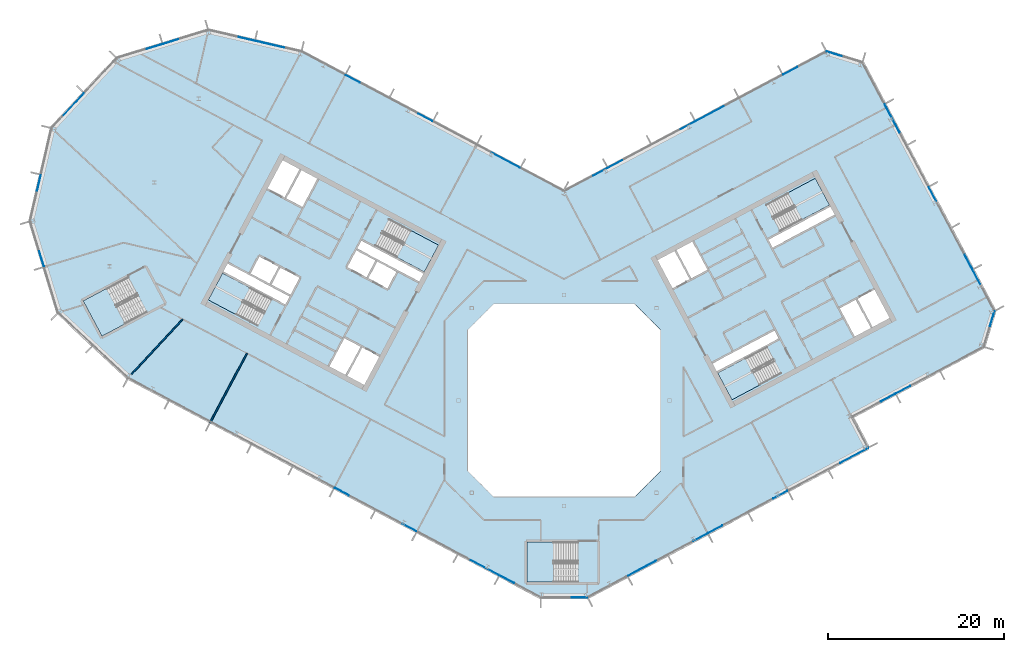
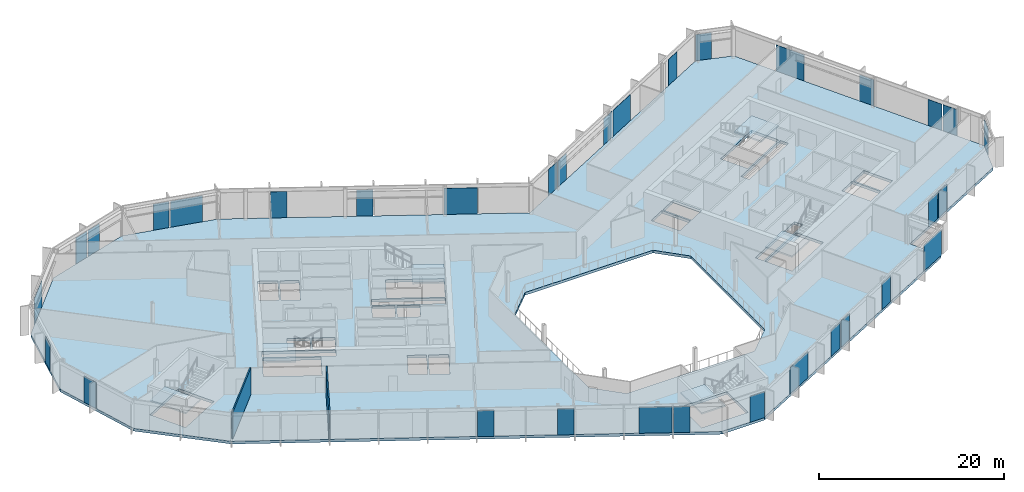
# One storey, part 11 of 26: 33 plates, 7 slabs, 2 walls, 20 elements without a shape of their own.
"""IFC4 building model written with IfcOpenShell, lengths in metres."""

from ifc_helpers import new_model, si_unit, direction, frame, frame_2d, origin, origin_2d, place, context, subcontext, project, spatial, polyline, rectangle, outline, extrude, material, layer, layer_set, type_object, element, aggregate, save


model = new_model("IFC4")

# Units and contexts
model_context = context("Model", 3, precision=1e-05, world=origin(), true_north=direction((0.0, 1.0)))
body_context = subcontext(model_context, "Body", "Model", "MODEL_VIEW")
ifc_project = project(units=[si_unit("LENGTHUNIT", "METRE"), si_unit("AREAUNIT", "SQUARE_METRE"), si_unit("VOLUMEUNIT", "CUBIC_METRE"), si_unit("PLANEANGLEUNIT", "RADIAN"), si_unit("MASSUNIT", "GRAM", prefix="KILO")], contexts=[model_context])

# Site, building, storey
site_placement = place(None, origin())
site = spatial("IfcSite", under=ifc_project, at=site_placement, CompositionType="ELEMENT")
building_placement = place(site_placement, origin())
building = spatial("IfcBuilding", under=site, at=building_placement, Name="Cormorant Relay Tower", CompositionType="ELEMENT")
storey_placement = place(building_placement, frame((0.0, 0.0, 228.60009765625)))
storey = spatial("IfcBuildingStorey", under=building, at=storey_placement, Name="L50", CompositionType="ELEMENT", Elevation=228.60009765625)

# Curtain wall, plate
ifc_material_1 = material(Name="Aluminium 6063-T6 anodised bronze", Category="aluminium")
ifc_layer_1 = layer(ifc_material_1, 0.199951171875)
ifc_layer_set_1 = layer_set([ifc_layer_1], Name="CW1 unitised bronze curtain wall with vertical fins")
curtain_wall_type = type_object("IfcCurtainWallType", Name="CW1 unitised bronze curtain wall with vertical fins", PredefinedType="NOTDEFINED", material=ifc_layer_set_1)
curtain_wall_1_placement = place(storey_placement, origin())
curtain_wall_1 = element("IfcCurtainWall", 1, at=curtain_wall_1_placement, inside=storey, type_object=curtain_wall_type, Name="CW1 curtain wall 1", PredefinedType="NOTDEFINED")
ifc_material_2 = material(Name="Tinted laminated glass", Category="glass")
ifc_layer_2 = layer(ifc_material_2, 0.0400390625)
ifc_layer_set_2 = layer_set([ifc_layer_2], Name="CW1 tinted vision panel 1800 module")
plate_type_1 = type_object("IfcPlateType", Name="CW1 tinted vision panel 1800 module", PredefinedType="CURTAIN_PANEL", material=ifc_layer_set_2)
plate_1_placement = place(storey_placement, frame((1.748779296875, -22.3955078125, 0.0), z_axis=(0.0, 0.0, 1.0), x_axis=(1.0, 0.0, 0.0)))
plate_1 = element("IfcPlate", 2, at=plate_1_placement, type_object=plate_type_1, Name="CW1 panel V01", PredefinedType="CURTAIN_PANEL", context=body_context, shape_type="SweptSolid", body=[
    extrude(rectangle(XDim=1.800048828125, YDim=0.0400390625, at=origin_2d()), origin(), (0.0, 0.0, 1.0), 3.449951171875),
])
aggregate(curtain_wall_1, [plate_1])

# Curtain wall, plates
curtain_wall_2_placement = place(storey_placement, origin())
curtain_wall_2 = element("IfcCurtainWall", 3, at=curtain_wall_2_placement, inside=storey, type_object=curtain_wall_type, Name="CW1 curtain wall 2", PredefinedType="NOTDEFINED")
plate_2_placement = place(storey_placement, frame((15.48291015625, -15.57421875, 0.0), z_axis=(0.0, 0.0, 1.0), x_axis=(0.882947592859, 0.469471562786, 0.0)))
plate_2 = element("IfcPlate", 4, at=plate_2_placement, type_object=plate_type_1, Name="CW1 panel V03", PredefinedType="CURTAIN_PANEL", context=body_context, shape_type="SweptSolid", body=[
    extrude(rectangle(XDim=1.800048828125, YDim=0.0400390625, at=origin_2d()), origin(), (0.0, 0.0, 1.0), 3.449951171875),
])
plate_3_placement = place(storey_placement, frame((17.20458984375, -14.65869140625, 0.0), z_axis=(0.0, 0.0, 1.0), x_axis=(0.882947592859, 0.469471562786, 0.0)))
plate_3 = element("IfcPlate", 5, at=plate_3_placement, type_object=plate_type_1, Name="CW1 panel V04", PredefinedType="CURTAIN_PANEL", context=body_context, shape_type="SweptSolid", body=[
    extrude(rectangle(XDim=1.800048828125, YDim=0.0400390625, at=origin_2d()), origin(), (0.0, 0.0, 1.0), 3.449951171875),
])
plate_4_placement = place(storey_placement, frame((24.6064453125, -10.72314453125, 0.0), z_axis=(0.0, 0.0, 1.0), x_axis=(0.882947592859, 0.469471562786, 0.0)))
plate_4 = element("IfcPlate", 6, at=plate_4_placement, type_object=plate_type_1, Name="CW1 panel V06", PredefinedType="CURTAIN_PANEL", context=body_context, shape_type="SweptSolid", body=[
    extrude(rectangle(XDim=1.800048828125, YDim=0.0400390625, at=origin_2d()), origin(), (0.0, 0.0, 1.0), 3.449951171875),
])

curtain_wall_3_placement = place(storey_placement, origin())
curtain_wall_3 = element("IfcCurtainWall", 7, at=curtain_wall_3_placement, inside=storey, type_object=curtain_wall_type, Name="CW1 curtain wall 4", PredefinedType="NOTDEFINED")
plate_5_placement = place(storey_placement, frame((36.85546875, 0.320068359375, 0.0), z_axis=(0.0, 0.0, 1.0), x_axis=(0.882947592859, 0.469471562786, 0.0)))
plate_5 = element("IfcPlate", 8, at=plate_5_placement, type_object=plate_type_1, Name="CW1 panel V01", PredefinedType="CURTAIN_PANEL", context=body_context, shape_type="SweptSolid", body=[
    extrude(rectangle(XDim=1.800048828125, YDim=0.0400390625, at=origin_2d()), origin(), (0.0, 0.0, 1.0), 3.449951171875),
])
plate_6_placement = place(storey_placement, frame((38.5771484375, 1.235595703125, 0.0), z_axis=(0.0, 0.0, 1.0), x_axis=(0.882947592859, 0.469471562786, 0.0)))
plate_6 = element("IfcPlate", 9, at=plate_6_placement, type_object=plate_type_1, Name="CW1 panel V02", PredefinedType="CURTAIN_PANEL", context=body_context, shape_type="SweptSolid", body=[
    extrude(rectangle(XDim=1.800048828125, YDim=0.0400390625, at=origin_2d()), origin(), (0.0, 0.0, 1.0), 3.449951171875),
])
aggregate(curtain_wall_3, [plate_5, plate_6])

# Curtain wall, plate
curtain_wall_4_placement = place(storey_placement, origin())
curtain_wall_4 = element("IfcCurtainWall", 10, at=curtain_wall_4_placement, inside=storey, type_object=curtain_wall_type, Name="CW1 curtain wall 5", PredefinedType="NOTDEFINED")
plate_7_placement = place(storey_placement, frame((48.710205078125, 9.306884765625, 0.0), z_axis=(0.0, 0.0, 1.0), x_axis=(0.292371704723, 0.956304755963, 0.0)))
plate_7 = element("IfcPlate", 11, at=plate_7_placement, type_object=plate_type_1, Name="CW1 panel V01", PredefinedType="CURTAIN_PANEL", context=body_context, shape_type="SweptSolid", body=[
    extrude(rectangle(XDim=1.800048828125, YDim=0.0400390625, at=origin_2d()), origin(), (0.0, 0.0, 1.0), 3.449951171875),
])
aggregate(curtain_wall_4, [plate_7])

# Curtain wall, plates
curtain_wall_5_placement = place(storey_placement, origin())
curtain_wall_5 = element("IfcCurtainWall", 12, at=curtain_wall_5_placement, inside=storey, type_object=curtain_wall_type, Name="CW1 curtain wall 6", PredefinedType="NOTDEFINED")
plate_8_placement = place(storey_placement, frame((46.925537109375, 14.031005859375, 0.0), z_axis=(0.0, 0.0, 1.0), x_axis=(-0.469471562786, 0.882947592859, 0.0)))
plate_8 = element("IfcPlate", 13, at=plate_8_placement, type_object=plate_type_1, Name="CW1 panel V01", PredefinedType="CURTAIN_PANEL", context=body_context, shape_type="SweptSolid", body=[
    extrude(rectangle(XDim=1.800048828125, YDim=0.0400390625, at=origin_2d()), origin(), (0.0, 0.0, 1.0), 3.449951171875),
])
plate_9_placement = place(storey_placement, frame((46.01025390625, 15.752685546875, 0.0), z_axis=(0.0, 0.0, 1.0), x_axis=(-0.469471562786, 0.882947592859, 0.0)))
plate_9 = element("IfcPlate", 14, at=plate_9_placement, type_object=plate_type_1, Name="CW1 panel V02", PredefinedType="CURTAIN_PANEL", context=body_context, shape_type="SweptSolid", body=[
    extrude(rectangle(XDim=1.800048828125, YDim=0.0400390625, at=origin_2d()), origin(), (0.0, 0.0, 1.0), 3.449951171875),
])
plate_10_placement = place(storey_placement, frame((41.91796875, 23.448974609375, 0.0), z_axis=(0.0, 0.0, 1.0), x_axis=(-0.469471562786, 0.882947592859, 0.0)))
plate_10 = element("IfcPlate", 15, at=plate_10_placement, type_object=plate_type_1, Name="CW1 panel V04", PredefinedType="CURTAIN_PANEL", context=body_context, shape_type="SweptSolid", body=[
    extrude(rectangle(XDim=1.800048828125, YDim=0.0400390625, at=origin_2d()), origin(), (0.0, 0.0, 1.0), 3.449951171875),
])

# Curtain wall, plate
curtain_wall_6_placement = place(storey_placement, origin())
curtain_wall_6 = element("IfcCurtainWall", 16, at=curtain_wall_6_placement, inside=storey, type_object=curtain_wall_type, Name="CW1 curtain wall 7", PredefinedType="NOTDEFINED")
plate_11_placement = place(storey_placement, frame((30.740234375, 39.424072265625, 0.0), z_axis=(0.0, 0.0, 1.0), x_axis=(-0.956304755963, 0.292371704723, 0.0)))
plate_11 = element("IfcPlate", 17, at=plate_11_placement, type_object=plate_type_1, Name="CW1 panel V01", PredefinedType="CURTAIN_PANEL", context=body_context, shape_type="SweptSolid", body=[
    extrude(rectangle(XDim=1.800048828125, YDim=0.0400390625, at=origin_2d()), origin(), (0.0, 0.0, 1.0), 3.449951171875),
])
aggregate(curtain_wall_6, [plate_11])

# Curtain wall, plates
curtain_wall_7_placement = place(storey_placement, origin())
curtain_wall_7 = element("IfcCurtainWall", 18, at=curtain_wall_7_placement, inside=storey, type_object=curtain_wall_type, Name="CW1 curtain wall 8", PredefinedType="NOTDEFINED")
plate_12_placement = place(storey_placement, frame((25.746337890625, 37.49609375, 0.0), z_axis=(0.0, 0.0, 1.0), x_axis=(-0.882947592859, -0.469471562786, 0.0)))
plate_12 = element("IfcPlate", 19, at=plate_12_placement, type_object=plate_type_1, Name="CW1 panel V01", PredefinedType="CURTAIN_PANEL", context=body_context, shape_type="SweptSolid", body=[
    extrude(rectangle(XDim=1.800048828125, YDim=0.0400390625, at=origin_2d()), origin(), (0.0, 0.0, 1.0), 3.449951171875),
])
plate_13_placement = place(storey_placement, frame((14.066650390625, 31.285888671875, 0.0), z_axis=(0.0, 0.0, 1.0), x_axis=(-0.882947592859, -0.469471562786, 0.0)))
plate_13 = element("IfcPlate", 20, at=plate_13_placement, type_object=plate_type_1, Name="CW1 panel V04", PredefinedType="CURTAIN_PANEL", context=body_context, shape_type="SweptSolid", body=[
    extrude(rectangle(XDim=1.800048828125, YDim=0.0400390625, at=origin_2d()), origin(), (0.0, 0.0, 1.0), 3.449951171875),
])
plate_14_placement = place(storey_placement, frame((5.830322265625, 26.90673828125, 0.0), z_axis=(0.0, 0.0, 1.0), x_axis=(-0.882947592859, -0.469471562786, 0.0)))
plate_14 = element("IfcPlate", 21, at=plate_14_placement, type_object=plate_type_1, Name="CW1 panel V06", PredefinedType="CURTAIN_PANEL", context=body_context, shape_type="SweptSolid", body=[
    extrude(rectangle(XDim=1.800048828125, YDim=0.0400390625, at=origin_2d()), origin(), (0.0, 0.0, 1.0), 3.449951171875),
])
plate_15_placement = place(storey_placement, frame((4.108642578125, 25.9912109375, 0.0), z_axis=(0.0, 0.0, 1.0), x_axis=(-0.882947592859, -0.469471562786, 0.0)))
plate_15 = element("IfcPlate", 22, at=plate_15_placement, type_object=plate_type_1, Name="CW1 panel V07", PredefinedType="CURTAIN_PANEL", context=body_context, shape_type="SweptSolid", body=[
    extrude(rectangle(XDim=1.800048828125, YDim=0.0400390625, at=origin_2d()), origin(), (0.0, 0.0, 1.0), 3.449951171875),
])

curtain_wall_8_placement = place(storey_placement, origin())
curtain_wall_8 = element("IfcCurtainWall", 23, at=curtain_wall_8_placement, inside=storey, type_object=curtain_wall_type, Name="CW1 curtain wall 9", PredefinedType="NOTDEFINED")
plate_16_placement = place(storey_placement, frame((-15.788330078125, 32.201416015625, 0.0), z_axis=(0.0, 0.0, 1.0), x_axis=(-0.882947592859, 0.469471562786, 0.0)))
plate_16 = element("IfcPlate", 24, at=plate_16_placement, type_object=plate_type_1, Name="CW1 panel V03", PredefinedType="CURTAIN_PANEL", context=body_context, shape_type="SweptSolid", body=[
    extrude(rectangle(XDim=1.800048828125, YDim=0.0400390625, at=origin_2d()), origin(), (0.0, 0.0, 1.0), 3.449951171875),
])
plate_17_placement = place(storey_placement, frame((-24.0244140625, 36.580810546875, 0.0), z_axis=(0.0, 0.0, 1.0), x_axis=(-0.882947592859, 0.469471562786, 0.0)))
plate_17 = element("IfcPlate", 25, at=plate_17_placement, type_object=plate_type_1, Name="CW1 panel V05", PredefinedType="CURTAIN_PANEL", context=body_context, shape_type="SweptSolid", body=[
    extrude(rectangle(XDim=1.800048828125, YDim=0.0400390625, at=origin_2d()), origin(), (0.0, 0.0, 1.0), 3.449951171875),
])

# Curtain wall, plate
curtain_wall_9_placement = place(storey_placement, origin())
curtain_wall_9 = element("IfcCurtainWall", 26, at=curtain_wall_9_placement, inside=storey, type_object=curtain_wall_type, Name="CW1 curtain wall 10", PredefinedType="NOTDEFINED")
plate_18_placement = place(storey_placement, frame((-36.114990234375, 41.129638671875, 0.0), z_axis=(0.0, 0.0, 1.0), x_axis=(-0.974370064785, 0.224951054344, 0.0)))
plate_18 = element("IfcPlate", 27, at=plate_18_placement, type_object=plate_type_1, Name="CW1 panel V02", PredefinedType="CURTAIN_PANEL", context=body_context, shape_type="SweptSolid", body=[
    extrude(rectangle(XDim=1.800048828125, YDim=0.0400390625, at=origin_2d()), origin(), (0.0, 0.0, 1.0), 3.449951171875),
])

# Curtain wall, plates
curtain_wall_10_placement = place(storey_placement, origin())
curtain_wall_10 = element("IfcCurtainWall", 28, at=curtain_wall_10_placement, inside=storey, type_object=curtain_wall_type, Name="CW1 curtain wall 11", PredefinedType="NOTDEFINED")
plate_19_placement = place(storey_placement, frame((-44.73681640625, 40.82861328125, 0.0), z_axis=(0.0, 0.0, 1.0), x_axis=(-0.956304755963, -0.292371704723, 0.0)))
plate_19 = element("IfcPlate", 29, at=plate_19_placement, type_object=plate_type_1, Name="CW1 panel V01", PredefinedType="CURTAIN_PANEL", context=body_context, shape_type="SweptSolid", body=[
    extrude(rectangle(XDim=1.800048828125, YDim=0.0400390625, at=origin_2d()), origin(), (0.0, 0.0, 1.0), 3.449951171875),
])
plate_20_placement = place(storey_placement, frame((-46.6015625, 40.25830078125, 0.0), z_axis=(0.0, 0.0, 1.0), x_axis=(-0.956304755963, -0.292371704723, 0.0)))
plate_20 = element("IfcPlate", 30, at=plate_20_placement, type_object=plate_type_1, Name="CW1 panel V02", PredefinedType="CURTAIN_PANEL", context=body_context, shape_type="SweptSolid", body=[
    extrude(rectangle(XDim=1.800048828125, YDim=0.0400390625, at=origin_2d()), origin(), (0.0, 0.0, 1.0), 3.449951171875),
])
aggregate(curtain_wall_10, [plate_19, plate_20])

# Curtain wall, plate
curtain_wall_11_placement = place(storey_placement, origin())
curtain_wall_11 = element("IfcCurtainWall", 31, at=curtain_wall_11_placement, inside=storey, type_object=curtain_wall_type, Name="CW1 curtain wall 13", PredefinedType="NOTDEFINED")
plate_21_placement = place(storey_placement, frame((-59.736083984375, 24.74365234375, 0.0), z_axis=(0.0, 0.0, 1.0), x_axis=(-0.224951054344, -0.974370064785, 0.0)))
plate_21 = element("IfcPlate", 32, at=plate_21_placement, type_object=plate_type_1, Name="CW1 panel V01", PredefinedType="CURTAIN_PANEL", context=body_context, shape_type="SweptSolid", body=[
    extrude(rectangle(XDim=1.800048828125, YDim=0.0400390625, at=origin_2d()), origin(), (0.0, 0.0, 1.0), 3.449951171875),
])
aggregate(curtain_wall_11, [plate_21])

curtain_wall_12_placement = place(storey_placement, origin())
curtain_wall_12 = element("IfcCurtainWall", 33, at=curtain_wall_12_placement, inside=storey, type_object=curtain_wall_type, Name="CW1 curtain wall 14", PredefinedType="NOTDEFINED")
plate_22_placement = place(storey_placement, frame((-59.434814453125, 16.122314453125, 0.0), z_axis=(0.0, 0.0, 1.0), x_axis=(0.292371704723, -0.956304755963, 0.0)))
plate_22 = element("IfcPlate", 34, at=plate_22_placement, type_object=plate_type_1, Name="CW1 panel V01", PredefinedType="CURTAIN_PANEL", context=body_context, shape_type="SweptSolid", body=[
    extrude(rectangle(XDim=1.800048828125, YDim=0.0400390625, at=origin_2d()), origin(), (0.0, 0.0, 1.0), 3.449951171875),
])
aggregate(curtain_wall_12, [plate_22])

# Curtain wall, plates
curtain_wall_13_placement = place(storey_placement, origin())
curtain_wall_13 = element("IfcCurtainWall", 35, at=curtain_wall_13_placement, inside=storey, type_object=curtain_wall_type, Name="CW1 curtain wall 16", PredefinedType="NOTDEFINED")
plate_23_placement = place(storey_placement, frame((-25.268798828125, -10.37109375, 0.0), z_axis=(0.0, 0.0, 1.0), x_axis=(0.882947592859, -0.469471562786, 0.0)))
plate_23 = element("IfcPlate", 36, at=plate_23_placement, type_object=plate_type_1, Name="CW1 panel V06", PredefinedType="CURTAIN_PANEL", context=body_context, shape_type="SweptSolid", body=[
    extrude(rectangle(XDim=1.800048828125, YDim=0.0400390625, at=origin_2d()), origin(), (0.0, 0.0, 1.0), 3.449951171875),
])
plate_24_placement = place(storey_placement, frame((-17.601806640625, -14.447509765625, 0.0), z_axis=(0.0, 0.0, 1.0), x_axis=(0.882947592859, -0.469471562786, 0.0)))
plate_24 = element("IfcPlate", 37, at=plate_24_placement, type_object=plate_type_1, Name="CW1 panel V08", PredefinedType="CURTAIN_PANEL", context=body_context, shape_type="SweptSolid", body=[
    extrude(rectangle(XDim=1.800048828125, YDim=0.0400390625, at=origin_2d()), origin(), (0.0, 0.0, 1.0), 3.449951171875),
])
plate_25_placement = place(storey_placement, frame((-6.49169921875, -20.35498046875, 0.0), z_axis=(0.0, 0.0, 1.0), x_axis=(0.882947592859, -0.469471562786, 0.0)))
plate_25 = element("IfcPlate", 38, at=plate_25_placement, type_object=plate_type_1, Name="CW1 panel V11", PredefinedType="CURTAIN_PANEL", context=body_context, shape_type="SweptSolid", body=[
    extrude(rectangle(XDim=1.800048828125, YDim=0.0400390625, at=origin_2d()), origin(), (0.0, 0.0, 1.0), 3.449951171875),
])

# Plate
ifc_material_3 = material(Name="Tinted laminated glass", Category="glass")
ifc_layer_3 = layer(ifc_material_3, 0.0400390625)
ifc_layer_set_3 = layer_set([ifc_layer_3], Name="CW1 tinted vision panel 3600 module")
plate_type_2 = type_object("IfcPlateType", Name="CW1 tinted vision panel 3600 module", PredefinedType="CURTAIN_PANEL", material=ifc_layer_set_3)
plate_26_placement = place(storey_placement, frame((8.87548828125, -19.08740234375, 0.0), z_axis=(0.0, 0.0, 1.0), x_axis=(0.882947592859, 0.469471562786, 0.0)))
plate_26 = element("IfcPlate", 39, at=plate_26_placement, type_object=plate_type_2, Name="CW1 panel V01", PredefinedType="CURTAIN_PANEL", context=body_context, shape_type="SweptSolid", body=[
    extrude(rectangle(XDim=3.60009765625, YDim=0.0400390625, at=origin_2d()), origin(), (0.0, 0.0, 1.0), 3.449951171875),
])

plate_27_placement = place(storey_placement, frame((33.00146484375, -6.259521484375, 0.0), z_axis=(0.0, 0.0, 1.0), x_axis=(0.882947592859, 0.469471562786, 0.0)))
plate_27 = element("IfcPlate", 40, at=plate_27_placement, type_object=plate_type_2, Name="CW1 panel V08", PredefinedType="CURTAIN_PANEL", context=body_context, shape_type="SweptSolid", body=[
    extrude(rectangle(XDim=3.60009765625, YDim=0.0400390625, at=origin_2d()), origin(), (0.0, 0.0, 1.0), 3.449951171875),
])

aggregate(curtain_wall_2, [plate_26, plate_2, plate_3, plate_4, plate_27])

plate_28_placement = place(storey_placement, frame((37.332763671875, 32.072509765625, 0.0), z_axis=(0.0, 0.0, 1.0), x_axis=(-0.469471562786, 0.882947592859, 0.0)))
plate_28 = element("IfcPlate", 41, at=plate_28_placement, type_object=plate_type_2, Name="CW1 panel V06", PredefinedType="CURTAIN_PANEL", context=body_context, shape_type="SweptSolid", body=[
    extrude(rectangle(XDim=3.60009765625, YDim=0.0400390625, at=origin_2d()), origin(), (0.0, 0.0, 1.0), 3.449951171875),
])

aggregate(curtain_wall_5, [plate_8, plate_9, plate_10, plate_28])

plate_29_placement = place(storey_placement, frame((16.5830078125, 32.6240234375, 0.0), z_axis=(0.0, 0.0, 1.0), x_axis=(-0.882947592859, -0.469471562786, 0.0)))
plate_29 = element("IfcPlate", 42, at=plate_29_placement, type_object=plate_type_2, Name="CW1 panel V03", PredefinedType="CURTAIN_PANEL", context=body_context, shape_type="SweptSolid", body=[
    extrude(rectangle(XDim=3.60009765625, YDim=0.0400390625, at=origin_2d()), origin(), (0.0, 0.0, 1.0), 3.449951171875),
])

aggregate(curtain_wall_7, [plate_12, plate_29, plate_13, plate_14, plate_15])

plate_30_placement = place(storey_placement, frame((-6.625, 27.3291015625, 0.0), z_axis=(0.0, 0.0, 1.0), x_axis=(-0.882947592859, 0.469471562786, 0.0)))
plate_30 = element("IfcPlate", 43, at=plate_30_placement, type_object=plate_type_2, Name="CW1 panel V01", PredefinedType="CURTAIN_PANEL", context=body_context, shape_type="SweptSolid", body=[
    extrude(rectangle(XDim=3.60009765625, YDim=0.0400390625, at=origin_2d()), origin(), (0.0, 0.0, 1.0), 3.449951171875),
])

aggregate(curtain_wall_8, [plate_30, plate_16, plate_17])

plate_31_placement = place(storey_placement, frame((-33.338134765625, 40.488525390625, 0.0), z_axis=(0.0, 0.0, 1.0), x_axis=(-0.974370064785, 0.224951054344, 0.0)))
plate_31 = element("IfcPlate", 44, at=plate_31_placement, type_object=plate_type_2, Name="CW1 panel V01", PredefinedType="CURTAIN_PANEL", context=body_context, shape_type="SweptSolid", body=[
    extrude(rectangle(XDim=3.60009765625, YDim=0.0400390625, at=origin_2d()), origin(), (0.0, 0.0, 1.0), 3.449951171875),
])

aggregate(curtain_wall_9, [plate_31, plate_18])

# Curtain wall, plate
curtain_wall_14_placement = place(storey_placement, origin())
curtain_wall_14 = element("IfcCurtainWall", 45, at=curtain_wall_14_placement, inside=storey, type_object=curtain_wall_type, Name="CW1 curtain wall 12", PredefinedType="NOTDEFINED")
plate_32_placement = place(storey_placement, frame((-55.861083984375, 33.6025390625, 0.0), z_axis=(0.0, 0.0, 1.0), x_axis=(-0.681998360062, -0.731353701619, 0.0)))
plate_32 = element("IfcPlate", 46, at=plate_32_placement, type_object=plate_type_2, Name="CW1 panel V01", PredefinedType="CURTAIN_PANEL", context=body_context, shape_type="SweptSolid", body=[
    extrude(rectangle(XDim=3.60009765625, YDim=0.0400390625, at=origin_2d()), origin(), (0.0, 0.0, 1.0), 3.449951171875),
])
aggregate(curtain_wall_14, [plate_32])

# Plate
plate_33_placement = place(storey_placement, frame((-9.008056640625, -19.01708984375, 0.0), z_axis=(0.0, 0.0, 1.0), x_axis=(0.882947592859, -0.469471562786, 0.0)))
plate_33 = element("IfcPlate", 47, at=plate_33_placement, type_object=plate_type_2, Name="CW1 panel V10", PredefinedType="CURTAIN_PANEL", context=body_context, shape_type="SweptSolid", body=[
    extrude(rectangle(XDim=3.60009765625, YDim=0.0400390625, at=origin_2d()), origin(), (0.0, 0.0, 1.0), 3.449951171875),
])

aggregate(curtain_wall_13, [plate_23, plate_24, plate_33, plate_25])

# Stair, slab
ifc_material_4 = material(Name="Concrete 40 MPa", Category="concrete")
stair_type_1 = type_object("IfcStairType", Name="Exit stair 1500", PredefinedType="HALF_TURN_STAIR", material=ifc_material_4)
stair_1_placement = place(storey_placement, origin())
stair_1 = element("IfcStair", 48, at=stair_1_placement, inside=storey, type_object=stair_type_1, Name="L50 Stair", PredefinedType="HALF_TURN_STAIR")
ifc_material_5 = material(Name="Concrete 40 MPa", Category="concrete")
ifc_layer_4 = layer(ifc_material_5, 0.199951171875)
ifc_layer_set_4 = layer_set([ifc_layer_4], Name="Exit stair landing 200")
slab_type_1 = type_object("IfcSlabType", Name="Exit stair landing 200", PredefinedType="LANDING", material=ifc_layer_set_4)
slab_1_placement = place(storey_placement, frame((0.0, 0.0, 1.75)))
slab_1 = element("IfcSlab", 49, at=slab_1_placement, type_object=slab_type_1, Name="A1 landing 1", PredefinedType="LANDING", context=body_context, shape_type="SweptSolid", body=[
    extrude(outline(polyline([(-19.029541015625, 16.29052734375), (-15.89501953125, 14.6240234375), (-14.275390625, 17.670166015625), (-17.40966796875, 19.3369140625), (-19.029541015625, 16.29052734375)])), origin(), (0.0, 0.0, 1.0), 0.199951171875),
])
aggregate(stair_1, [slab_1])

stair_2_placement = place(storey_placement, origin())
stair_2 = element("IfcStair", 50, at=stair_2_placement, inside=storey, type_object=stair_type_1, Name="L50 Stair", PredefinedType="HALF_TURN_STAIR")
slab_2_placement = place(storey_placement, frame((0.0, 0.0, 1.75)))
slab_2 = element("IfcSlab", 51, at=slab_2_placement, type_object=slab_type_1, Name="A2 landing 1", PredefinedType="LANDING", context=body_context, shape_type="SweptSolid", body=[
    extrude(outline(polyline([(-35.71337890625, 12.816650390625), (-38.84765625, 14.483154296875), (-40.467529296875, 11.43701171875), (-37.3330078125, 9.7705078125), (-35.71337890625, 12.816650390625)])), origin(), (0.0, 0.0, 1.0), 0.199951171875),
])
aggregate(stair_2, [slab_2])

stair_3_placement = place(storey_placement, origin())
stair_3 = element("IfcStair", 52, at=stair_3_placement, inside=storey, type_object=stair_type_1, Name="L50 Stair", PredefinedType="HALF_TURN_STAIR")
slab_3_placement = place(storey_placement, frame((0.0, 0.0, 1.75)))
slab_3 = element("IfcSlab", 53, at=slab_3_placement, type_object=slab_type_1, Name="B1 landing 1", PredefinedType="LANDING", context=body_context, shape_type="SweptSolid", body=[
    extrude(outline(polyline([(20.614990234375, 4.78857421875), (17.48046875, 3.1220703125), (19.10009765625, 0.075927734375), (22.234619140625, 1.742431640625), (20.614990234375, 4.78857421875)])), origin(), (0.0, 0.0, 1.0), 0.199951171875),
])
aggregate(stair_3, [slab_3])

stair_4_placement = place(storey_placement, origin())
stair_4 = element("IfcStair", 54, at=stair_4_placement, inside=storey, type_object=stair_type_1, Name="L50 Stair", PredefinedType="HALF_TURN_STAIR")
slab_4_placement = place(storey_placement, frame((0.0, 0.0, 1.75)))
slab_4 = element("IfcSlab", 55, at=slab_4_placement, type_object=slab_type_1, Name="B2 landing 1", PredefinedType="LANDING", context=body_context, shape_type="SweptSolid", body=[
    extrude(outline(polyline([(27.064208984375, 20.562744140625), (30.19873046875, 22.2294921875), (28.5791015625, 25.275634765625), (25.444580078125, 23.60888671875), (27.064208984375, 20.562744140625)])), origin(), (0.0, 0.0, 1.0), 0.199951171875),
])
aggregate(stair_4, [slab_4])

ifc_material_6 = material(Name="Concrete 40 MPa", Category="concrete")
stair_type_2 = type_object("IfcStairType", Name="Remote exit stair 2200", PredefinedType="HALF_TURN_STAIR", material=ifc_material_6)
stair_5_placement = place(storey_placement, origin())
stair_5 = element("IfcStair", 56, at=stair_5_placement, inside=storey, type_object=stair_type_2, Name="L50 Stair", PredefinedType="HALF_TURN_STAIR")
slab_5_placement = place(storey_placement, frame((0.0, 0.0, 1.75)))
slab_5 = element("IfcSlab", 57, at=slab_5_placement, type_object=slab_type_1, Name="RK1 landing 1", PredefinedType="LANDING", context=body_context, shape_type="SweptSolid", body=[
    extrude(outline(polyline([(-1.199951171875, -16.125), (-4.199951171875, -16.125), (-4.199951171875, -20.675048828125), (-1.199951171875, -20.675048828125), (-1.199951171875, -16.125)])), origin(), (0.0, 0.0, 1.0), 0.199951171875),
])
aggregate(stair_5, [slab_5])

stair_6_placement = place(storey_placement, origin())
stair_6 = element("IfcStair", 58, at=stair_6_placement, inside=storey, type_object=stair_type_2, Name="L50 Stair", PredefinedType="HALF_TURN_STAIR")
slab_6_placement = place(storey_placement, frame((0.0, 0.0, 1.75)))
slab_6 = element("IfcSlab", 59, at=slab_6_placement, type_object=slab_type_1, Name="RP1 landing 1", PredefinedType="LANDING", context=body_context, shape_type="SweptSolid", body=[
    extrude(outline(polyline([(-52.051025390625, 12.7392578125), (-54.699951171875, 11.330810546875), (-52.563720703125, 7.3134765625), (-49.914794921875, 8.721923828125), (-52.051025390625, 12.7392578125)])), origin(), (0.0, 0.0, 1.0), 0.199951171875),
])
aggregate(stair_6, [slab_6])

# Slab
ifc_material_7 = material(Name="Concrete 40 MPa", Category="concrete")
ifc_layer_5 = layer(ifc_material_7, 0.360107421875)
ifc_layer_set_5 = layer_set([ifc_layer_5], Name="Flat plate 360")
slab_type_2 = type_object("IfcSlabType", Name="Flat plate 360", PredefinedType="FLOOR", material=ifc_layer_set_5)
slab_7_placement = place(storey_placement, frame((0.0, 0.0, -0.360107421875)))
element("IfcSlab", 60, at=slab_7_placement, inside=storey, type_object=slab_type_2, Name="Floor slab L50", PredefinedType="FLOOR", context=body_context, shape_type="SweptSolid", body=[
    extrude(outline(polyline([(-60.7197265625, 20.393310546875), (-58.2744140625, 30.985107421875), (-50.86083984375, 38.935302734375), (-40.465576171875, 42.11328125), (-29.873779296875, 39.668212890625), (0.0, 23.783935546875), (29.873779296875, 39.668212890625), (33.930908203125, 38.427734375), (48.9541015625, 10.17333984375), (47.713623046875, 6.1162109375), (32.70361328125, -1.864990234375), (34.581298828125, -5.396728515625), (2.648681640625, -22.37548828125), (-2.648681640625, -22.37548828125), (-49.591552734375, 2.584228515625), (-57.541748046875, 9.997802734375), (-60.7197265625, 20.393310546875)]), holes=[polyline([(11.0, -8.0), (11.0, 8.0), (8.0, 11.0), (-8.0, 11.0), (-11.0, 8.0), (-11.0, -8.0), (-8.0, -11.0), (8.0, -11.0), (11.0, -8.0)]), polyline([(-22.95458984375, 6.03271484375), (-24.668212890625, 2.81005859375), (-22.725830078125, 1.777099609375), (-21.01220703125, 5.0), (-23.04296875, 6.07958984375), (-22.95458984375, 6.03271484375)]), polyline([(-24.985595703125, 7.112548828125), (-26.69921875, 3.889892578125), (-24.844970703125, 2.90380859375), (-23.13134765625, 6.126708984375), (-23.04296875, 6.07958984375), (-24.985595703125, 7.112548828125)]), polyline([(-54.69970703125, 11.330810546875), (-52.563720703125, 7.3134765625), (-47.442626953125, 10.036376953125), (-49.57861328125, 14.0537109375), (-54.69970703125, 11.330810546875)]), polyline([(-33.240966796875, 11.502197265625), (-38.847900390625, 14.483154296875), (-40.46728515625, 11.43701171875), (-34.860595703125, 8.455810546875), (-33.240966796875, 11.502197265625)]), polyline([(-38.260986328125, 15.5869140625), (-38.75390625, 14.659912109375), (-31.690185546875, 10.904052734375), (-31.197265625, 11.8310546875), (-38.260986328125, 15.5869140625)]), polyline([(-31.103515625, 12.0078125), (-30.070556640625, 13.9501953125), (-32.278076171875, 15.123779296875), (-33.310791015625, 13.181396484375), (-31.103515625, 12.0078125)]), polyline([(-22.2880859375, 13.889404296875), (-20.080810546875, 12.7158203125), (-19.048095703125, 14.658203125), (-21.25537109375, 15.831787109375), (-22.2880859375, 13.889404296875)]), polyline([(-34.661865234375, 16.3916015625), (-35.69482421875, 14.448974609375), (-33.4873046875, 13.275390625), (-32.45458984375, 15.2177734375), (-34.661865234375, 16.3916015625)]), polyline([(-22.46484375, 13.9833984375), (-21.431884765625, 15.92578125), (-23.639404296875, 17.099609375), (-24.672119140625, 15.156982421875), (-22.46484375, 13.9833984375)]), polyline([(-31.611572265625, 22.980712890625), (-29.75732421875, 21.99462890625), (-28.043701171875, 25.217529296875), (-29.89794921875, 26.203369140625), (-31.611572265625, 22.980712890625)]), polyline([(-32.01708984375, 27.330078125), (-33.73046875, 24.107421875), (-31.7880859375, 23.074462890625), (-30.074462890625, 26.29736328125), (-32.01708984375, 27.330078125)]), polyline([(-4.199951171875, -16.125), (-4.199951171875, -20.675048828125), (1.60009765625, -20.675048828125), (1.60009765625, -16.125), (-4.199951171875, -16.125)]), polyline([(17.48046875, 3.1220703125), (19.10009765625, 0.07568359375), (24.706787109375, 3.056884765625), (23.087158203125, 6.10302734375), (17.48046875, 3.1220703125)]), polyline([(17.386474609375, 3.298583984375), (24.4501953125, 7.054443359375), (23.957275390625, 7.9814453125), (16.8935546875, 4.2255859375), (17.386474609375, 3.298583984375)]), polyline([(33.197021484375, 11.478515625), (31.3427734375, 10.49267578125), (33.056396484375, 7.27001953125), (34.910400390625, 8.255859375), (33.197021484375, 11.478515625)]), polyline([(33.37353515625, 11.572509765625), (35.087158203125, 8.349609375), (37.029541015625, 9.382568359375), (35.31591796875, 12.605224609375), (33.37353515625, 11.572509765625)]), polyline([(14.3056640625, 13.779052734375), (12.592041015625, 17.001708984375), (10.649658203125, 15.968994140625), (12.36328125, 12.74609375), (14.39404296875, 13.825927734375), (14.3056640625, 13.779052734375)]), polyline([(16.33642578125, 14.85888671875), (14.622802734375, 18.08154296875), (12.768798828125, 17.095703125), (14.482421875, 13.872802734375), (14.39404296875, 13.825927734375), (16.33642578125, 14.85888671875)]), polyline([(-16.481689453125, 13.520263671875), (-15.989013671875, 14.447509765625), (-23.052490234375, 18.203125), (-23.54541015625, 17.276123046875), (-16.481689453125, 13.520263671875)]), polyline([(-15.89501953125, 14.6240234375), (-14.275390625, 17.670166015625), (-19.882080078125, 20.6513671875), (-21.501708984375, 17.605224609375), (-15.89501953125, 14.6240234375)]), polyline([(30.78564453125, 21.125732421875), (30.29248046875, 22.052978515625), (23.22900390625, 18.297119140625), (23.721923828125, 17.3701171875), (30.78564453125, 21.125732421875)]), polyline([(24.592041015625, 19.248291015625), (30.19873046875, 22.2294921875), (28.5791015625, 25.275634765625), (22.972412109375, 22.29443359375), (24.592041015625, 19.248291015625)])]), origin(), (0.0, 0.0, 1.0), 0.360107421875),
])

# Walls
ifc_material_8 = material(Name="Gypsum board partition")
ifc_layer_6 = layer(ifc_material_8, 0.14990234375)
ifc_layer_set_6 = layer_set([ifc_layer_6], Name="Tenant partition 150")
wall_type = type_object("IfcWallType", Name="Tenant partition 150", PredefinedType="PARTITIONING", material=ifc_layer_set_6)
wall_1_placement = place(storey_placement, frame((-43.3779296875, 9.2470703125, 0.0), z_axis=(0.0, 0.0, 1.0), x_axis=(-0.681988780008, -0.731362635047, 0.0)))
element("IfcWall", 61, at=wall_1_placement, inside=storey, type_object=wall_type, Name="wall/L50/part/009", PredefinedType="PARTITIONING", context=body_context, shape_type="SweptSolid", body=[
    extrude(rectangle(XDim=8.60888671875, YDim=0.14990234375, at=frame_2d((4.304443359375, 0.0))), origin(), (0.0, 0.0, 1.0), 3.539794921875),
])
wall_2_placement = place(storey_placement, frame((-36.072021484375, 5.362060546875, 0.0), z_axis=(0.0, 0.0, 1.0), x_axis=(-0.469481145989, -0.882942497313, 0.0)))
element("IfcWall", 62, at=wall_2_placement, inside=storey, type_object=wall_type, Name="wall/L50/part/010", PredefinedType="PARTITIONING", context=body_context, shape_type="SweptSolid", body=[
    extrude(rectangle(XDim=8.99951171875, YDim=0.14990234375, at=frame_2d((4.499755859375, 0.0))), origin(), (0.0, 0.0, 1.0), 3.539794921875),
])

save(model, "model.ifc")
